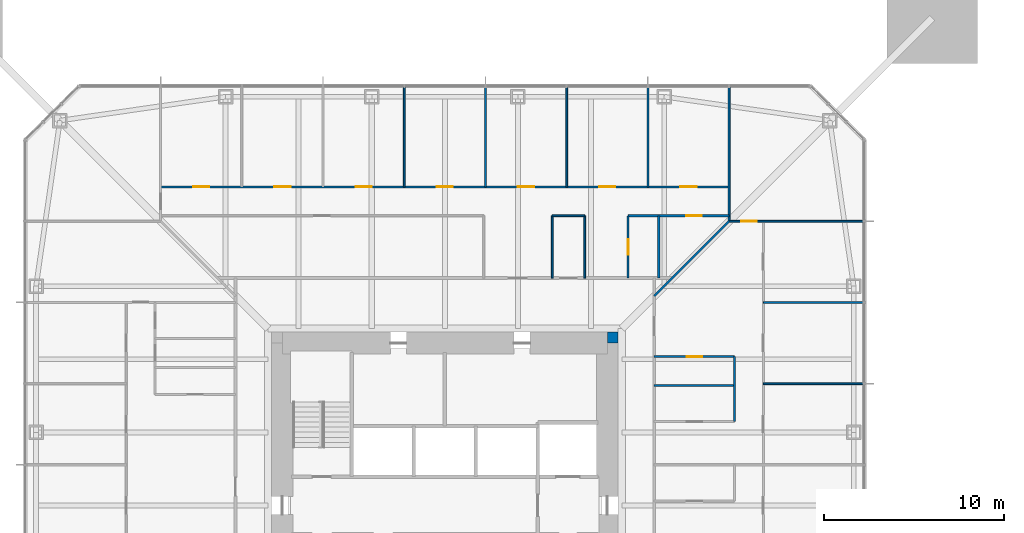
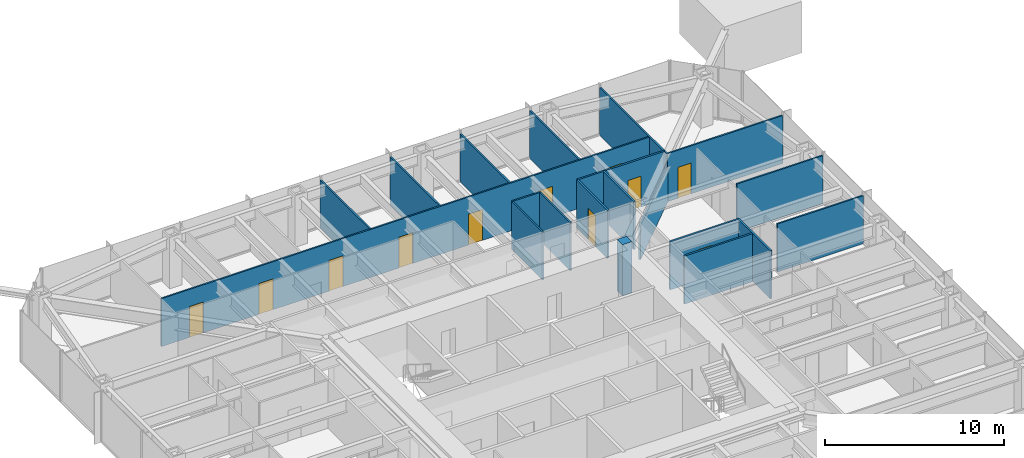
# One storey, part 17 of 26: 20 walls, 11 doors, 11 openings.
"""IFC4 building model written with IfcOpenShell, lengths in metres."""

from ifc_helpers import new_model, si_unit, direction, frame, frame_2d, origin, place, context, subcontext, project, spatial, rectangle, extrude, material, layer, layer_set, type_object, element, fill, save


model = new_model("IFC4")

# Units and contexts
model_context = context("Model", 3, precision=1e-05, world=origin(), true_north=direction((0.0, 1.0)))
body_context = subcontext(model_context, "Body", "Model", "MODEL_VIEW")
ifc_project = project(units=[si_unit("LENGTHUNIT", "METRE"), si_unit("AREAUNIT", "SQUARE_METRE"), si_unit("VOLUMEUNIT", "CUBIC_METRE"), si_unit("PLANEANGLEUNIT", "RADIAN"), si_unit("MASSUNIT", "GRAM", prefix="KILO")], contexts=[model_context])

# Site, building, storey
site_placement = place(None, origin())
site = spatial("IfcSite", under=ifc_project, at=site_placement, CompositionType="ELEMENT")
building_placement = place(site_placement, origin())
building = spatial("IfcBuilding", under=site, at=building_placement, Name="Iwan Alto Co-Living Towers", CompositionType="ELEMENT")
storey_placement = place(building_placement, frame((0.0, 0.0, 39.5)))
storey = spatial("IfcBuildingStorey", under=building, at=storey_placement, Name="L10", CompositionType="ELEMENT", Elevation=39.5)

# Walls
ifc_material_1 = material(Name="Gypsum board")
ifc_layer_1 = layer(ifc_material_1, 0.012451171875, Name="Board", Category="Finish")
ifc_material_2 = material(Name="Steel ASTM A1003 ST33H cold-formed studs", Category="steel")
ifc_layer_2 = layer(ifc_material_2, 0.074951171875, Name="Studs", Category="Framing")
ifc_layer_3 = layer(ifc_material_1, 0.012451171875, Name="Board", Category="Finish")
ifc_layer_set_1 = layer_set([ifc_layer_1, ifc_layer_2, ifc_layer_3], Name="PARTITION 100")
wall_type_1 = type_object("IfcWallType", Name="PARTITION 100", PredefinedType="PARTITIONING", material=ifc_layer_set_1)
for number, where, z_axis, x_axis, name in (
    (1, (17.64990234375, 6.75, 0.0), (0.0, 0.0, 1.0), (1.0, 0.0, 0.0), "Partition L10"),
    (2, (17.64990234375, 11.25, 0.0), (0.0, 0.0, 1.0), (1.0, 0.0, 0.0), "Partition L10"),
):
    element("IfcWall", number, at=place(storey_placement, frame(where, z_axis=z_axis, x_axis=x_axis)), inside=storey, type_object=wall_type_1, Name=name, PredefinedType="PARTITIONING", context=body_context, shape_type="SweptSolid", body=[
        extrude(rectangle(XDim=5.5400390625, YDim=0.10009765625, at=frame_2d((2.77001953125, 0.0))), origin(), (0.0, 0.0, 1.0), 3.27001953125),
    ])

# Wall, opening, door
wall_1_placement = place(storey_placement, frame((15.75, 15.75, 0.0), z_axis=(0.0, 0.0, 1.0), x_axis=(1.0, 0.0, 0.0)))
wall_1 = element("IfcWall", 3, at=wall_1_placement, inside=storey, type_object=wall_type_1, Name="Partition L10", PredefinedType="PARTITIONING", context=body_context, shape_type="SweptSolid", body=[
    extrude(rectangle(XDim=7.43994140625, YDim=0.10009765625, at=frame_2d((3.719970703125, 0.0))), origin(), (0.0, 0.0, 1.0), 3.27001953125),
])
opening_1_placement = place(wall_1_placement, frame((0.675048828125, 0.0, 0.0)))
opening_1 = element("IfcOpeningElement", 4, at=opening_1_placement, cuts=wall_1, Name="Opening D2", PredefinedType="OPENING", context=body_context, shape_type="SweptSolid", body=[
    extrude(rectangle(XDim=0.85009765625, YDim=2.10009765625, at=frame_2d((0.425048828125, 1.050048828125))), frame((0.0, 0.06005859375, 0.0), z_axis=(0.0, -1.0, 0.0), x_axis=(1.0, 0.0, 0.0)), (0.0, 0.0, 1.0), 0.1201171875),
])
ifc_material_3 = material(Name="Timber leaf in steel frame", Category="steel")
door_type_1 = type_object("IfcDoorType", Name="ROOM DOOR 850X2100", OperationType="SINGLE_SWING_LEFT", PredefinedType="DOOR", material=ifc_material_3)
door_1_placement = place(opening_1_placement, frame((0.85009765625, 0.0, 0.0), z_axis=(0.0, 0.0, 1.0), x_axis=(-1.0, 0.0, 0.0)))
door_1 = element("IfcDoor", 5, at=door_1_placement, inside=storey, type_object=door_type_1, Name="Shared kitchen and lounge door L10", OperationType="SINGLE_SWING_LEFT", OverallHeight=2.10009765625, OverallWidth=0.85009765625, PredefinedType="DOOR", context=body_context, shape_type="SweptSolid", body=[
    extrude(rectangle(XDim=0.85009765625, YDim=2.10009765625, at=frame_2d((0.425048828125, 1.050048828125))), frame((0.0, 0.02490234375, 0.0), z_axis=(0.0, -1.0, 0.0), x_axis=(1.0, 0.0, 0.0)), (0.0, 0.0, 1.0), 0.050048828125),
])
fill(opening_1, door_1)

# Wall
wall_2_placement = place(storey_placement, frame((5.949951171875, 16.050048828125, 0.0), z_axis=(0.0, 0.0, 1.0), x_axis=(1.0, 0.0, 0.0)))
element("IfcWall", 6, at=wall_2_placement, inside=storey, type_object=wall_type_1, Name="Partition L10", PredefinedType="PARTITIONING", context=body_context, shape_type="SweptSolid", body=[
    extrude(rectangle(XDim=1.800048828125, YDim=0.10009765625, at=frame_2d((0.89990234375, 0.0))), origin(), (0.0, 0.0, 1.0), 3.27001953125),
])

# Wall, openings, doors
wall_3_placement = place(storey_placement, frame((-15.75, 17.64990234375, 0.0), z_axis=(0.0, 0.0, 1.0), x_axis=(1.0, 0.0, 0.0)))
wall_3 = element("IfcWall", 7, at=wall_3_placement, inside=storey, type_object=wall_type_1, Name="Partition L10", PredefinedType="PARTITIONING", context=body_context, shape_type="SweptSolid", body=[
    extrude(rectangle(XDim=31.5, YDim=0.10009765625, at=frame_2d((15.75, 0.0))), origin(), (0.0, 0.0, 1.0), 3.27001953125),
])
opening_2_placement = place(wall_3_placement, frame((28.800048828125, 0.0, 0.0)))
opening_2 = element("IfcOpeningElement", 8, at=opening_2_placement, cuts=wall_3, Name="Opening D1", PredefinedType="OPENING", context=body_context, shape_type="SweptSolid", body=[
    extrude(rectangle(XDim=0.89990234375, YDim=2.10009765625, at=frame_2d((0.449951171875, 1.050048828125))), frame((0.0, 0.06005859375, 0.0), z_axis=(0.0, -1.0, 0.0), x_axis=(1.0, 0.0, 0.0)), (0.0, 0.0, 1.0), 0.1201171875),
])
opening_3_placement = place(wall_3_placement, frame((24.300048828125, 0.0, 0.0)))
opening_3 = element("IfcOpeningElement", 9, at=opening_3_placement, cuts=wall_3, Name="Opening D1", PredefinedType="OPENING", context=body_context, shape_type="SweptSolid", body=[
    extrude(rectangle(XDim=0.89990234375, YDim=2.10009765625, at=frame_2d((0.449951171875, 1.050048828125))), frame((0.0, 0.06005859375, 0.0), z_axis=(0.0, -1.0, 0.0), x_axis=(1.0, 0.0, 0.0)), (0.0, 0.0, 1.0), 0.1201171875),
])
opening_4_placement = place(wall_3_placement, frame((19.800048828125, 0.0, 0.0)))
opening_4 = element("IfcOpeningElement", 10, at=opening_4_placement, cuts=wall_3, Name="Opening D1", PredefinedType="OPENING", context=body_context, shape_type="SweptSolid", body=[
    extrude(rectangle(XDim=0.89990234375, YDim=2.10009765625, at=frame_2d((0.449951171875, 1.050048828125))), frame((0.0, 0.06005859375, 0.0), z_axis=(0.0, -1.0, 0.0), x_axis=(1.0, 0.0, 0.0)), (0.0, 0.0, 1.0), 0.1201171875),
])
opening_5_placement = place(wall_3_placement, frame((15.300048828125, 0.0, 0.0)))
opening_5 = element("IfcOpeningElement", 11, at=opening_5_placement, cuts=wall_3, Name="Opening D1", PredefinedType="OPENING", context=body_context, shape_type="SweptSolid", body=[
    extrude(rectangle(XDim=0.89990234375, YDim=2.10009765625, at=frame_2d((0.449951171875, 1.050048828125))), frame((0.0, 0.06005859375, 0.0), z_axis=(0.0, -1.0, 0.0), x_axis=(1.0, 0.0, 0.0)), (0.0, 0.0, 1.0), 0.1201171875),
])
opening_6_placement = place(wall_3_placement, frame((10.800048828125, 0.0, 0.0)))
opening_6 = element("IfcOpeningElement", 12, at=opening_6_placement, cuts=wall_3, Name="Opening D1", PredefinedType="OPENING", context=body_context, shape_type="SweptSolid", body=[
    extrude(rectangle(XDim=0.89990234375, YDim=2.10009765625, at=frame_2d((0.449951171875, 1.050048828125))), frame((0.0, 0.06005859375, 0.0), z_axis=(0.0, -1.0, 0.0), x_axis=(1.0, 0.0, 0.0)), (0.0, 0.0, 1.0), 0.1201171875),
])
opening_7_placement = place(wall_3_placement, frame((6.300048828125, 0.0, 0.0)))
opening_7 = element("IfcOpeningElement", 13, at=opening_7_placement, cuts=wall_3, Name="Opening D1", PredefinedType="OPENING", context=body_context, shape_type="SweptSolid", body=[
    extrude(rectangle(XDim=0.89990234375, YDim=2.10009765625, at=frame_2d((0.449951171875, 1.050048828125))), frame((0.0, 0.06005859375, 0.0), z_axis=(0.0, -1.0, 0.0), x_axis=(1.0, 0.0, 0.0)), (0.0, 0.0, 1.0), 0.1201171875),
])
opening_8_placement = place(wall_3_placement, frame((1.800048828125, 0.0, 0.0)))
opening_8 = element("IfcOpeningElement", 14, at=opening_8_placement, cuts=wall_3, Name="Opening D1", PredefinedType="OPENING", context=body_context, shape_type="SweptSolid", body=[
    extrude(rectangle(XDim=0.89990234375, YDim=2.10009765625, at=frame_2d((0.449951171875, 1.050048828125))), frame((0.0, 0.06005859375, 0.0), z_axis=(0.0, -1.0, 0.0), x_axis=(1.0, 0.0, 0.0)), (0.0, 0.0, 1.0), 0.1201171875),
])
ifc_material_4 = material(Name="Timber leaf in steel frame", Category="steel")
door_type_2 = type_object("IfcDoorType", Name="BEDROOM DOOR 900X2100", OperationType="SINGLE_SWING_LEFT", PredefinedType="DOOR", material=ifc_material_4)
door_2_placement = place(opening_2_placement, frame((0.89990234375, 0.0, 0.0), z_axis=(0.0, 0.0, 1.0), x_axis=(-1.0, 0.0, 0.0)))
door_2 = element("IfcDoor", 15, at=door_2_placement, inside=storey, type_object=door_type_2, Name="Study bedroom door L10", OperationType="SINGLE_SWING_LEFT", OverallHeight=2.10009765625, OverallWidth=0.89990234375, PredefinedType="DOOR", context=body_context, shape_type="SweptSolid", body=[
    extrude(rectangle(XDim=0.89990234375, YDim=2.10009765625, at=frame_2d((0.449951171875, 1.050048828125))), frame((0.0, 0.02490234375, 0.0), z_axis=(0.0, -1.0, 0.0), x_axis=(1.0, 0.0, 0.0)), (0.0, 0.0, 1.0), 0.050048828125),
])
fill(opening_2, door_2)
door_3_placement = place(opening_3_placement, frame((0.89990234375, 0.0, 0.0), z_axis=(0.0, 0.0, 1.0), x_axis=(-1.0, 0.0, 0.0)))
door_3 = element("IfcDoor", 16, at=door_3_placement, inside=storey, type_object=door_type_2, Name="Study bedroom door L10", OperationType="SINGLE_SWING_LEFT", OverallHeight=2.10009765625, OverallWidth=0.89990234375, PredefinedType="DOOR", context=body_context, shape_type="SweptSolid", body=[
    extrude(rectangle(XDim=0.89990234375, YDim=2.10009765625, at=frame_2d((0.449951171875, 1.050048828125))), frame((0.0, 0.02490234375, 0.0), z_axis=(0.0, -1.0, 0.0), x_axis=(1.0, 0.0, 0.0)), (0.0, 0.0, 1.0), 0.050048828125),
])
fill(opening_3, door_3)
door_4_placement = place(opening_4_placement, frame((0.89990234375, 0.0, 0.0), z_axis=(0.0, 0.0, 1.0), x_axis=(-1.0, 0.0, 0.0)))
door_4 = element("IfcDoor", 17, at=door_4_placement, inside=storey, type_object=door_type_2, Name="Study bedroom door L10", OperationType="SINGLE_SWING_LEFT", OverallHeight=2.10009765625, OverallWidth=0.89990234375, PredefinedType="DOOR", context=body_context, shape_type="SweptSolid", body=[
    extrude(rectangle(XDim=0.89990234375, YDim=2.10009765625, at=frame_2d((0.449951171875, 1.050048828125))), frame((0.0, 0.02490234375, 0.0), z_axis=(0.0, -1.0, 0.0), x_axis=(1.0, 0.0, 0.0)), (0.0, 0.0, 1.0), 0.050048828125),
])
fill(opening_4, door_4)
door_5_placement = place(opening_5_placement, frame((0.89990234375, 0.0, 0.0), z_axis=(0.0, 0.0, 1.0), x_axis=(-1.0, 0.0, 0.0)))
door_5 = element("IfcDoor", 18, at=door_5_placement, inside=storey, type_object=door_type_2, Name="Study bedroom door L10", OperationType="SINGLE_SWING_RIGHT", OverallHeight=2.10009765625, OverallWidth=0.89990234375, PredefinedType="DOOR", context=body_context, shape_type="SweptSolid", body=[
    extrude(rectangle(XDim=0.89990234375, YDim=2.10009765625, at=frame_2d((0.449951171875, 1.050048828125))), frame((0.0, 0.02490234375, 0.0), z_axis=(0.0, -1.0, 0.0), x_axis=(1.0, 0.0, 0.0)), (0.0, 0.0, 1.0), 0.050048828125),
])
fill(opening_5, door_5)
door_6_placement = place(opening_6_placement, frame((0.89990234375, 0.0, 0.0), z_axis=(0.0, 0.0, 1.0), x_axis=(-1.0, 0.0, 0.0)))
door_6 = element("IfcDoor", 19, at=door_6_placement, inside=storey, type_object=door_type_2, Name="Study bedroom door L10", OperationType="SINGLE_SWING_RIGHT", OverallHeight=2.10009765625, OverallWidth=0.89990234375, PredefinedType="DOOR", context=body_context, shape_type="SweptSolid", body=[
    extrude(rectangle(XDim=0.89990234375, YDim=2.10009765625, at=frame_2d((0.449951171875, 1.050048828125))), frame((0.0, 0.02490234375, 0.0), z_axis=(0.0, -1.0, 0.0), x_axis=(1.0, 0.0, 0.0)), (0.0, 0.0, 1.0), 0.050048828125),
])
fill(opening_6, door_6)
door_7_placement = place(opening_7_placement, frame((0.89990234375, 0.0, 0.0), z_axis=(0.0, 0.0, 1.0), x_axis=(-1.0, 0.0, 0.0)))
door_7 = element("IfcDoor", 20, at=door_7_placement, inside=storey, type_object=door_type_2, Name="Study bedroom door L10", OperationType="SINGLE_SWING_RIGHT", OverallHeight=2.10009765625, OverallWidth=0.89990234375, PredefinedType="DOOR", context=body_context, shape_type="SweptSolid", body=[
    extrude(rectangle(XDim=0.89990234375, YDim=2.10009765625, at=frame_2d((0.449951171875, 1.050048828125))), frame((0.0, 0.02490234375, 0.0), z_axis=(0.0, -1.0, 0.0), x_axis=(1.0, 0.0, 0.0)), (0.0, 0.0, 1.0), 0.050048828125),
])
fill(opening_7, door_7)
door_8_placement = place(opening_8_placement, frame((0.89990234375, 0.0, 0.0), z_axis=(0.0, 0.0, 1.0), x_axis=(-1.0, 0.0, 0.0)))
door_8 = element("IfcDoor", 21, at=door_8_placement, inside=storey, type_object=door_type_2, Name="Study bedroom door L10", OperationType="SINGLE_SWING_RIGHT", OverallHeight=2.10009765625, OverallWidth=0.89990234375, PredefinedType="DOOR", context=body_context, shape_type="SweptSolid", body=[
    extrude(rectangle(XDim=0.89990234375, YDim=2.10009765625, at=frame_2d((0.449951171875, 1.050048828125))), frame((0.0, 0.02490234375, 0.0), z_axis=(0.0, -1.0, 0.0), x_axis=(1.0, 0.0, 0.0)), (0.0, 0.0, 1.0), 0.050048828125),
])
fill(opening_8, door_8)

# Walls
wall_4_placement = place(storey_placement, frame((15.75, 15.75, 0.0), z_axis=(0.0, 0.0, 1.0), x_axis=(0.0, 1.0, 0.0)))
element("IfcWall", 22, at=wall_4_placement, inside=storey, type_object=wall_type_1, Name="Partition L10", PredefinedType="PARTITIONING", context=body_context, shape_type="SweptSolid", body=[
    extrude(rectangle(XDim=7.43994140625, YDim=0.10009765625, at=frame_2d((3.719970703125, 0.0))), origin(), (0.0, 0.0, 1.0), 3.27001953125),
])
wall_5_placement = place(storey_placement, frame((11.25, 17.64990234375, 0.0), z_axis=(0.0, 0.0, 1.0), x_axis=(0.0, 1.0, 0.0)))
element("IfcWall", 23, at=wall_5_placement, inside=storey, type_object=wall_type_1, Name="Partition L10", PredefinedType="PARTITIONING", context=body_context, shape_type="SweptSolid", body=[
    extrude(rectangle(XDim=5.5400390625, YDim=0.10009765625, at=frame_2d((2.77001953125, 0.0))), origin(), (0.0, 0.0, 1.0), 3.27001953125),
])
wall_6_placement = place(storey_placement, frame((7.75, 12.60009765625, 0.0), z_axis=(0.0, 0.0, 1.0), x_axis=(0.0, 1.0, 0.0)))
element("IfcWall", 24, at=wall_6_placement, inside=storey, type_object=wall_type_1, Name="Partition L10", PredefinedType="PARTITIONING", context=body_context, shape_type="SweptSolid", body=[
    extrude(rectangle(XDim=3.449951171875, YDim=0.10009765625, at=frame_2d((1.72509765625, 0.0))), origin(), (0.0, 0.0, 1.0), 3.27001953125),
])
wall_7_placement = place(storey_placement, frame((6.75, 17.64990234375, 0.0), z_axis=(0.0, 0.0, 1.0), x_axis=(0.0, 1.0, 0.0)))
element("IfcWall", 25, at=wall_7_placement, inside=storey, type_object=wall_type_1, Name="Partition L10", PredefinedType="PARTITIONING", context=body_context, shape_type="SweptSolid", body=[
    extrude(rectangle(XDim=5.5400390625, YDim=0.10009765625, at=frame_2d((2.77001953125, 0.0))), origin(), (0.0, 0.0, 1.0), 3.27001953125),
])
wall_8_placement = place(storey_placement, frame((5.949951171875, 12.60009765625, 0.0), z_axis=(0.0, 0.0, 1.0), x_axis=(0.0, 1.0, 0.0)))
element("IfcWall", 26, at=wall_8_placement, inside=storey, type_object=wall_type_1, Name="Partition L10", PredefinedType="PARTITIONING", context=body_context, shape_type="SweptSolid", body=[
    extrude(rectangle(XDim=3.449951171875, YDim=0.10009765625, at=frame_2d((1.72509765625, 0.0))), origin(), (0.0, 0.0, 1.0), 3.27001953125),
])
for number, where, z_axis, x_axis, name in (
    (27, (2.25, 17.64990234375, 0.0), (0.0, 0.0, 1.0), (0.0, 1.0, 0.0), "Partition L10"),
    (28, (-2.25, 17.64990234375, 0.0), (0.0, 0.0, 1.0), (0.0, 1.0, 0.0), "Partition L10"),
):
    element("IfcWall", number, at=place(storey_placement, frame(where, z_axis=z_axis, x_axis=x_axis)), inside=storey, type_object=wall_type_1, Name=name, PredefinedType="PARTITIONING", context=body_context, shape_type="SweptSolid", body=[
        extrude(rectangle(XDim=5.5400390625, YDim=0.10009765625, at=frame_2d((2.77001953125, 0.0))), origin(), (0.0, 0.0, 1.0), 3.27001953125),
    ])
ifc_material_5 = material(Name="Concrete f'c 70 MPa", Category="concrete")
ifc_layer_4 = layer(ifc_material_5, 0.60009765625)
ifc_layer_set_2 = layer_set([ifc_layer_4], Name="T1 CORE CORNER FILL 600")
wall_type_2 = type_object("IfcWallType", Name="T1 CORE CORNER FILL 600", PredefinedType="SOLIDWALL", material=ifc_layer_set_2)
wall_9_placement = place(storey_placement, frame((9.0, 9.300048828125, 0.0), z_axis=(0.0, 0.0, 1.0), x_axis=(1.0, 0.0, 0.0)))
element("IfcWall", 29, at=wall_9_placement, inside=storey, type_object=wall_type_2, Name="T1 core corner NE L10", PredefinedType="SOLIDWALL", context=body_context, shape_type="SweptSolid", body=[
    extrude(rectangle(XDim=0.60009765625, YDim=0.60009765625, at=frame_2d((0.300048828125, 0.0))), origin(), (0.0, 0.0, 1.0), 3.5),
])
ifc_material_6 = material(Name="Cement board")
ifc_layer_5 = layer(ifc_material_6, 0.012451171875, Name="Board", Category="Finish")
ifc_layer_6 = layer(ifc_material_2, 0.094970703125, Name="Studs", Category="Framing")
ifc_layer_7 = layer(ifc_material_6, 0.012451171875, Name="Board", Category="Finish")
ifc_layer_set_3 = layer_set([ifc_layer_5, ifc_layer_6, ifc_layer_7], Name="WET AREA PARTITION 120")
wall_type_3 = type_object("IfcWallType", Name="WET AREA PARTITION 120", PredefinedType="PARTITIONING", material=ifc_layer_set_3)
wall_10_placement = place(storey_placement, frame((11.60009765625, 6.64990234375, 0.0), z_axis=(0.0, 0.0, 1.0), x_axis=(1.0, 0.0, 0.0)))
element("IfcWall", 30, at=wall_10_placement, inside=storey, type_object=wall_type_3, Name="Partition L10", PredefinedType="PARTITIONING", context=body_context, shape_type="SweptSolid", body=[
    extrude(rectangle(XDim=4.449951171875, YDim=0.1201171875, at=frame_2d((2.22509765625, 0.0))), origin(), (0.0, 0.0, 1.0), 3.27001953125),
])

# Wall, opening, door
wall_11_placement = place(storey_placement, frame((11.60009765625, 8.25, 0.0), z_axis=(0.0, 0.0, 1.0), x_axis=(1.0, 0.0, 0.0)))
wall_11 = element("IfcWall", 31, at=wall_11_placement, inside=storey, type_object=wall_type_3, Name="Partition L10", PredefinedType="PARTITIONING", context=body_context, shape_type="SweptSolid", body=[
    extrude(rectangle(XDim=4.449951171875, YDim=0.1201171875, at=frame_2d((2.22509765625, 0.0))), origin(), (0.0, 0.0, 1.0), 3.27001953125),
])
opening_9_placement = place(wall_11_placement, frame((1.800048828125, 0.0, 0.0)))
opening_9 = element("IfcOpeningElement", 32, at=opening_9_placement, cuts=wall_11, Name="Opening D2", PredefinedType="OPENING", context=body_context, shape_type="SweptSolid", body=[
    extrude(rectangle(XDim=0.85009765625, YDim=2.10009765625, at=frame_2d((0.425048828125, 1.050048828125))), frame((0.0, 0.070068359375, 0.0), z_axis=(0.0, -1.0, 0.0), x_axis=(1.0, 0.0, 0.0)), (0.0, 0.0, 1.0), 0.14013671875),
])
door_9_placement = place(opening_9_placement, origin())
door_9 = element("IfcDoor", 33, at=door_9_placement, inside=storey, type_object=door_type_1, Name="Accessible bathroom door L10", OperationType="SINGLE_SWING_LEFT", OverallHeight=2.10009765625, OverallWidth=0.85009765625, PredefinedType="DOOR", context=body_context, shape_type="SweptSolid", body=[
    extrude(rectangle(XDim=0.85009765625, YDim=2.10009765625, at=frame_2d((0.425048828125, 1.050048828125))), frame((0.0, 0.02490234375, 0.0), z_axis=(0.0, -1.0, 0.0), x_axis=(1.0, 0.0, 0.0)), (0.0, 0.0, 1.0), 0.050048828125),
])
fill(opening_9, door_9)

wall_12_placement = place(storey_placement, frame((10.14990234375, 16.050048828125, 0.0), z_axis=(0.0, 0.0, 1.0), x_axis=(1.0, 0.0, 0.0)))
wall_12 = element("IfcWall", 34, at=wall_12_placement, inside=storey, type_object=wall_type_3, Name="Partition L10", PredefinedType="PARTITIONING", context=body_context, shape_type="SweptSolid", body=[
    extrude(rectangle(XDim=5.60009765625, YDim=0.1201171875, at=frame_2d((2.800048828125, 0.0))), origin(), (0.0, 0.0, 1.0), 3.27001953125),
])
opening_10_placement = place(wall_12_placement, frame((3.22509765625, 0.0, 0.0)))
opening_10 = element("IfcOpeningElement", 35, at=opening_10_placement, cuts=wall_12, Name="Opening D2", PredefinedType="OPENING", context=body_context, shape_type="SweptSolid", body=[
    extrude(rectangle(XDim=0.85009765625, YDim=2.10009765625, at=frame_2d((0.425048828125, 1.050048828125))), frame((0.0, 0.070068359375, 0.0), z_axis=(0.0, -1.0, 0.0), x_axis=(1.0, 0.0, 0.0)), (0.0, 0.0, 1.0), 0.14013671875),
])
door_10_placement = place(opening_10_placement, origin())
door_10 = element("IfcDoor", 36, at=door_10_placement, inside=storey, type_object=door_type_1, Name="Accessible bathroom door L10", OperationType="SINGLE_SWING_RIGHT", OverallHeight=2.10009765625, OverallWidth=0.85009765625, PredefinedType="DOOR", context=body_context, shape_type="SweptSolid", body=[
    extrude(rectangle(XDim=0.85009765625, YDim=2.10009765625, at=frame_2d((0.425048828125, 1.050048828125))), frame((0.0, 0.02490234375, 0.0), z_axis=(0.0, -1.0, 0.0), x_axis=(1.0, 0.0, 0.0)), (0.0, 0.0, 1.0), 0.050048828125),
])
fill(opening_10, door_10)

# Walls
wall_13_placement = place(storey_placement, frame((11.60009765625, 11.60009765625, 0.0), z_axis=(0.0, 0.0, 1.0), x_axis=(0.707106781187, 0.707106781187, 0.0)))
element("IfcWall", 37, at=wall_13_placement, inside=storey, type_object=wall_type_3, Name="Partition L10", PredefinedType="PARTITIONING", context=body_context, shape_type="SweptSolid", body=[
    extrude(rectangle(XDim=5.868896484375, YDim=0.1201171875, at=frame_2d((2.9345703125, 0.0))), origin(), (0.0, 0.0, 1.0), 2.343017578125),
])
wall_14_placement = place(storey_placement, frame((16.050048828125, 4.64990234375, 0.0), z_axis=(0.0, 0.0, 1.0), x_axis=(0.0, 1.0, 0.0)))
element("IfcWall", 38, at=wall_14_placement, inside=storey, type_object=wall_type_3, Name="Partition L10", PredefinedType="PARTITIONING", context=body_context, shape_type="SweptSolid", body=[
    extrude(rectangle(XDim=3.60009765625, YDim=0.1201171875, at=frame_2d((1.800048828125, 0.0))), origin(), (0.0, 0.0, 1.0), 3.27001953125),
])
wall_15_placement = place(storey_placement, frame((11.85009765625, 12.60009765625, 0.0), z_axis=(0.0, 0.0, 1.0), x_axis=(0.0, 1.0, 0.0)))
element("IfcWall", 39, at=wall_15_placement, inside=storey, type_object=wall_type_3, Name="Partition L10", PredefinedType="PARTITIONING", context=body_context, shape_type="SweptSolid", body=[
    extrude(rectangle(XDim=3.449951171875, YDim=0.1201171875, at=frame_2d((1.72509765625, 0.0))), origin(), (0.0, 0.0, 1.0), 3.27001953125),
])

# Wall, opening, door
wall_16_placement = place(storey_placement, frame((10.14990234375, 12.60009765625, 0.0), z_axis=(0.0, 0.0, 1.0), x_axis=(0.0, 1.0, 0.0)))
wall_16 = element("IfcWall", 40, at=wall_16_placement, inside=storey, type_object=wall_type_3, Name="Partition L10", PredefinedType="PARTITIONING", context=body_context, shape_type="SweptSolid", body=[
    extrude(rectangle(XDim=3.449951171875, YDim=0.1201171875, at=frame_2d((1.72509765625, 0.0))), origin(), (0.0, 0.0, 1.0), 3.27001953125),
])
opening_11_placement = place(wall_16_placement, frame((1.300048828125, 0.0, 0.0)))
opening_11 = element("IfcOpeningElement", 41, at=opening_11_placement, cuts=wall_16, Name="Opening D2", PredefinedType="OPENING", context=body_context, shape_type="SweptSolid", body=[
    extrude(rectangle(XDim=0.85009765625, YDim=2.10009765625, at=frame_2d((0.425048828125, 1.050048828125))), frame((0.0, 0.070068359375, 0.0), z_axis=(0.0, -1.0, 0.0), x_axis=(1.0, 0.0, 0.0)), (0.0, 0.0, 1.0), 0.14013671875),
])
door_11_placement = place(opening_11_placement, origin())
door_11 = element("IfcDoor", 42, at=door_11_placement, inside=storey, type_object=door_type_1, Name="Bathroom door L10", OperationType="SINGLE_SWING_LEFT", OverallHeight=2.10009765625, OverallWidth=0.85009765625, PredefinedType="DOOR", context=body_context, shape_type="SweptSolid", body=[
    extrude(rectangle(XDim=0.85009765625, YDim=2.10009765625, at=frame_2d((0.425048828125, 1.050048828125))), frame((0.0, 0.02490234375, 0.0), z_axis=(0.0, -1.0, 0.0), x_axis=(1.0, 0.0, 0.0)), (0.0, 0.0, 1.0), 0.050048828125),
])
fill(opening_11, door_11)

save(model, "model.ifc")
